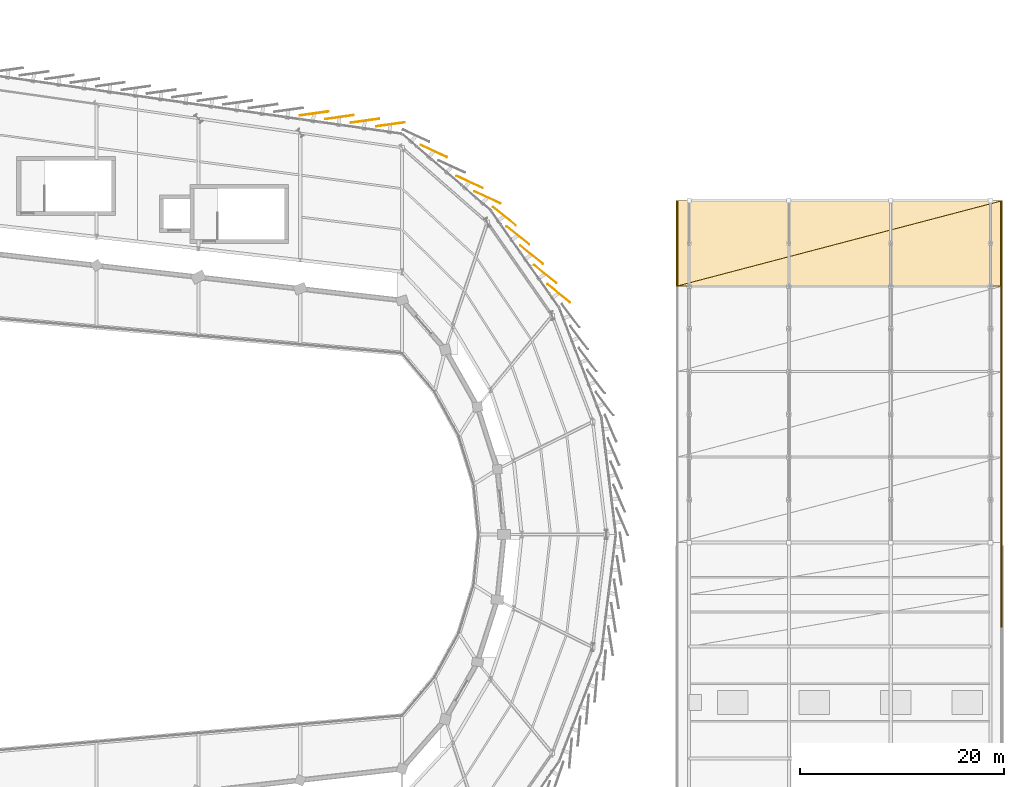
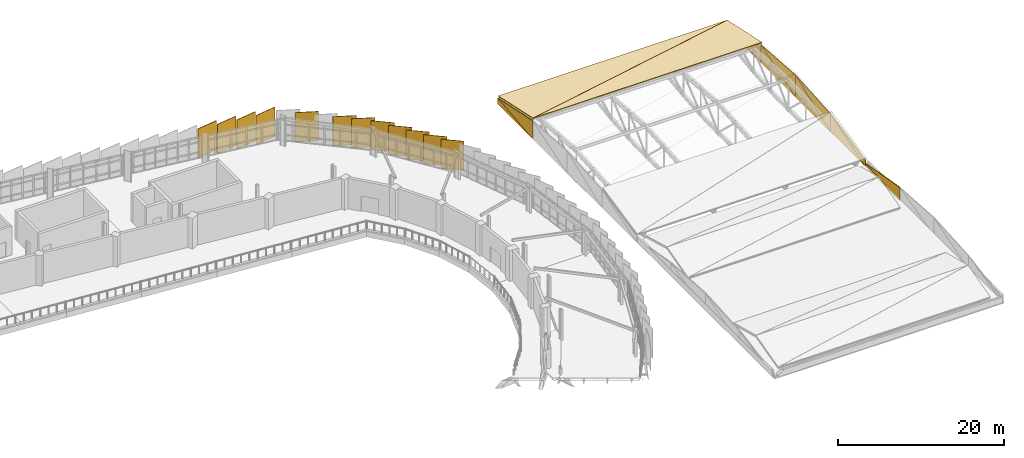
# One storey, part 87 of 87: 26 coverings.
"""IFC4 building model written with IfcOpenShell, lengths in metres."""

import ifcopenshell
import ifcopenshell.guid

model = None  # the IFC model being written
_history = None  # IfcOwnerHistory: only IFC2X3 demands one
_inside = {}  # id of a spatial element -> (the spatial element, [elements in it])
_under = {}  # id of a project, library or spatial element -> (it, [spatial elements below it])
_declared = {}  # id of a project -> (the project, [libraries it declares])
_typed = {}  # id of a type object -> (the type object, [elements of that type])
_made_of = {}  # id of a material, layer set ... -> (it, [elements and type objects made of it])


def new_model(schema):
    """Start an empty IFC model of exactly this schema.

    Asked for "IFC4X3", IfcOpenShell would pick the latest addendum, in which some entities
    have other attributes; the version numbers below select the first issue.
    IFC2X3 requires an IfcOwnerHistory on every rooted entity: one is made here for all.
    """
    global model, _history
    if schema == "IFC4X3":
        model = ifcopenshell.file(schema_version=(4, 3, 0, 0))
    else:
        model = ifcopenshell.file(schema=schema)
    _inside.clear()
    _under.clear()
    _declared.clear()
    _typed.clear()
    _made_of.clear()
    _history = None
    if model.schema == "IFC2X3":
        org = make("IfcOrganization", Name="unknown")
        user = make(
            "IfcPersonAndOrganization",
            ThePerson=make("IfcPerson", FamilyName="unknown"),
            TheOrganization=org,
        )
        app = make(
            "IfcApplication",
            ApplicationDeveloper=org,
            Version="unknown",
            ApplicationFullName="unknown",
            ApplicationIdentifier="unknown",
        )
        _history = make(
            "IfcOwnerHistory",
            OwningUser=user,
            OwningApplication=app,
            ChangeAction="ADDED",
            CreationDate=0,
        )
    return model


def make(cls, **values):
    """One entity of the class cls with the attributes given. An attribute that is None is left unset."""
    return model.create_entity(
        cls, **{name: value for name, value in values.items() if value is not None}
    )


def rooted(cls, **values):
    """An entity with a GlobalId (a new one), such as an element, a storey or a relation."""
    return make(cls, GlobalId=ifcopenshell.guid.new(), OwnerHistory=_history, **values)


def si_unit(unit_type, name, prefix=None):
    """IfcSIUnit, for example si_unit("LENGTHUNIT", "METRE", prefix="MILLI")."""
    return make("IfcSIUnit", UnitType=unit_type, Prefix=prefix, Name=name)


def assignment(units):
    """IfcUnitAssignment: the units of a project."""
    return None if units is None else make("IfcUnitAssignment", Units=units)


def point(xyz):
    """IfcCartesianPoint."""
    return None if xyz is None else make("IfcCartesianPoint", Coordinates=xyz)


def direction(xyz):
    """IfcDirection."""
    return None if xyz is None else make("IfcDirection", DirectionRatios=xyz)


def frame(location, z_axis=None, x_axis=None):
    """IfcAxis2Placement3D, a coordinate frame: its origin and axes. An axis left out is left unset."""
    return make(
        "IfcAxis2Placement3D",
        Location=point(location),
        Axis=direction(z_axis),
        RefDirection=direction(x_axis),
    )


def frame_2d(location, x_axis=None):
    """IfcAxis2Placement2D, a coordinate frame in the plane: its origin and x axis."""
    return make(
        "IfcAxis2Placement2D", Location=point(location), RefDirection=direction(x_axis)
    )


def origin():
    """The frame at (0, 0, 0) with its axes left unset."""
    return frame((0.0, 0.0, 0.0))


def origin_2d():
    """The frame at (0, 0) in the plane with its x axis left unset."""
    return frame_2d((0.0, 0.0))


def place(relative_to, where):
    """IfcLocalPlacement: puts the frame where relative to a parent placement (None: the world)."""
    return make(
        "IfcLocalPlacement", PlacementRelTo=relative_to, RelativePlacement=where
    )


def context(
    kind, dimensions, precision=None, world=None, true_north=None, identifier=None
):
    """IfcGeometricRepresentationContext, for example the 3D "Model" context."""
    return make(
        "IfcGeometricRepresentationContext",
        ContextIdentifier=identifier,
        ContextType=kind,
        CoordinateSpaceDimension=dimensions,
        Precision=precision,
        WorldCoordinateSystem=world,
        TrueNorth=true_north,
    )


def subcontext(parent, identifier, kind, view, scale=None):
    """IfcGeometricRepresentationSubContext, for example "Body" below "Model"."""
    return make(
        "IfcGeometricRepresentationSubContext",
        ContextIdentifier=identifier,
        ContextType=kind,
        ParentContext=parent,
        TargetScale=scale,
        TargetView=view,
    )


def project(units=None, contexts=None):
    """IfcProject with its units and contexts."""
    return rooted(
        "IfcProject",
        Name="project",
        RepresentationContexts=contexts,
        UnitsInContext=assignment(units),
    )


def spatial(cls, under=None, at=None, **own):
    """A site, building, storey or space (cls), placed at a placement, below another one or the project."""
    s = rooted(cls, ObjectPlacement=at, **own)
    if under is not None:
        _under.setdefault(under.id(), (under, []))[1].append(s)
    return s


def polyline(points):
    """IfcPolyline through the points."""
    return make("IfcPolyline", Points=[point(p) for p in points])


def profile(cls, at=None, kind="AREA", **sizes):
    """A parametric profile (cls). Its sizes go by their IFC names, for example OverallWidth=200.0."""
    return make(cls, ProfileType=kind, Position=at, **sizes)


def rectangle(**sizes):
    """IfcRectangleProfileDef."""
    return profile("IfcRectangleProfileDef", **sizes)


def outline(outer, holes=None, kind="AREA"):
    """IfcArbitraryClosedProfileDef: a profile drawn as a closed curve; with holes, ...WithVoids."""
    if holes is None:
        return make("IfcArbitraryClosedProfileDef", ProfileType=kind, OuterCurve=outer)
    return make(
        "IfcArbitraryProfileDefWithVoids",
        ProfileType=kind,
        OuterCurve=outer,
        InnerCurves=holes,
    )


def extrude(swept, where, along, depth):
    """IfcExtrudedAreaSolid: the profile swept, set in the frame where, extruded along a direction by depth."""
    return make(
        "IfcExtrudedAreaSolid",
        SweptArea=swept,
        Position=where,
        ExtrudedDirection=direction(along),
        Depth=depth,
    )


def shape(context_of_items, identifier, shape_type, items):
    """IfcShapeRepresentation: the items that make up one representation, for example the "Body"."""
    return make(
        "IfcShapeRepresentation",
        ContextOfItems=context_of_items,
        RepresentationIdentifier=identifier,
        RepresentationType=shape_type,
        Items=items,
    )


def material(Name=None, Category=None):
    """IfcMaterial."""
    return make("IfcMaterial", Name=Name, Category=Category)


def layer(
    of_material, thickness, ventilated=None, Name=None, Category=None, Priority=None
):
    """IfcMaterialLayer: one layer of a wall or slab, of a material (None: an air gap)."""
    return make(
        "IfcMaterialLayer",
        Material=of_material,
        LayerThickness=thickness,
        IsVentilated=ventilated,
        Name=Name,
        Category=Category,
        Priority=Priority,
    )


def layer_set(layers, Name=None):
    """IfcMaterialLayerSet."""
    return make("IfcMaterialLayerSet", MaterialLayers=layers, LayerSetName=Name)


def made_of(thing, what):
    """Note that an element or type object is made of a material, layer set ...; save() writes the relation."""
    if what is not None:
        _made_of.setdefault(what.id(), (what, []))[1].append(thing)
    return thing


def type_object(cls, material=None, **own):
    """A type object (cls), such as IfcWallType, which elements share."""
    return made_of(rooted(cls, **own), material)


def element(
    cls,
    number,
    at=None,
    inside=None,
    cuts=None,
    type_object=None,
    material=None,
    context=None,
    identifier="Body",
    shape_type=None,
    held_by="IfcProductDefinitionShape",
    body=None,
    shapes=None,
    **own,
):
    """One element of the class cls, such as IfcWall. Its Tag is "e" and its number.

    at: its placement. inside: the storey or other place that contains it. cuts: it is an
    opening in that element (IfcRelVoidsElement). A single representation is given by context,
    identifier, shape_type and body (its items); several are given by shapes. held_by: the class
    of the entity that holds the representations. save() writes the other relations.
    """
    e = rooted(cls, Tag="e%d" % number, ObjectPlacement=at, **own)
    if body is not None:
        shapes = [shape(context, identifier, shape_type, body)]
    if shapes is not None:
        e.Representation = make(held_by, Representations=shapes)
    if inside is not None:
        _inside.setdefault(inside.id(), (inside, []))[1].append(e)
    if cuts is not None:
        rooted(
            "IfcRelVoidsElement", RelatingBuildingElement=cuts, RelatedOpeningElement=e
        )
    if type_object is not None:
        _typed.setdefault(type_object.id(), (type_object, []))[1].append(e)
    return made_of(e, material)


def aggregate(whole, parts):
    """IfcRelAggregates: a whole, such as a stair, and the parts it consists of."""
    return rooted("IfcRelAggregates", RelatingObject=whole, RelatedObjects=parts)


def save(model, path):
    """Write the relations noted so far, then the file.

    IfcRelAggregates (storeys below a building ...), IfcRelContainedInSpatialStructure (elements
    in a storey), IfcRelDefinesByType, IfcRelAssociatesMaterial and IfcRelDeclares: one each for
    every whole, place, type object, material and project.
    """
    for whole, parts in _under.values():
        aggregate(whole, parts)
    for where, things in _inside.values():
        rooted(
            "IfcRelContainedInSpatialStructure",
            RelatedElements=things,
            RelatingStructure=where,
        )
    for kind, things in _typed.values():
        rooted("IfcRelDefinesByType", RelatedObjects=things, RelatingType=kind)
    for what, things in _made_of.values():
        rooted("IfcRelAssociatesMaterial", RelatedObjects=things, RelatingMaterial=what)
    for by, libraries in _declared.values():
        rooted("IfcRelDeclares", RelatingContext=by, RelatedDefinitions=libraries)
    model.write(path)


model = new_model("IFC4")

# Units and contexts
model_context = context("Model", 3, precision=1e-05, world=origin(), true_north=direction((0.0, 1.0)))
body_context = subcontext(model_context, "Body", "Model", "MODEL_VIEW")
ifc_project = project(units=[si_unit("LENGTHUNIT", "METRE"), si_unit("AREAUNIT", "SQUARE_METRE"), si_unit("VOLUMEUNIT", "CUBIC_METRE"), si_unit("PLANEANGLEUNIT", "RADIAN"), si_unit("MASSUNIT", "GRAM", prefix="KILO")], contexts=[model_context])

# Site, building, storey
site_placement = place(None, origin())
site = spatial("IfcSite", under=ifc_project, at=site_placement, CompositionType="ELEMENT")
building_placement = place(site_placement, origin())
building = spatial("IfcBuilding", under=site, at=building_placement, Name="Sohan Crest Arena", CompositionType="ELEMENT")
storey_placement = place(building_placement, frame((0.0, 0.0, 18.0)))
storey = spatial("IfcBuildingStorey", under=building, at=storey_placement, Name="L04", CompositionType="ELEMENT", Elevation=18.0)

# Coverings
ifc_material_1 = material(Name="Standing-seam insulated acoustic roof liner", Category="aluminium")
ifc_layer_1 = layer(ifc_material_1, 0.114990234375, Name="Standing-seam insulated acoustic roof liner")
ifc_layer_set_1 = layer_set([ifc_layer_1], Name="Standing-seam insulated acoustic roof liner")
covering_type_1 = type_object("IfcCoveringType", Name="COV-RF2", PredefinedType="ROOFING", material=ifc_layer_set_1)
covering_1_placement = place(storey_placement, frame((195.04296875, 102.406005859375, 2.841064453125), z_axis=(0.0, 0.209939374799, 0.977714405596), x_axis=(1.0, 0.0, 0.0)))
element("IfcCovering", 1, at=covering_1_placement, inside=storey, type_object=covering_type_1, Name="Standing-seam acoustic roof covering RF-CV-123", PredefinedType="ROOFING", context=body_context, shape_type="SweptSolid", body=[
    extrude(outline(polyline([(0.0, 0.0), (31.93603515625, 0.0), (31.93603515625, 8.5741363660465), (0.0, 0.0)])), origin(), (0.0, 0.0, -1.0), 0.114990234375),
])
covering_2_placement = place(storey_placement, frame((195.02099609375, 102.410888671875, 2.841064453125), z_axis=(0.0, 0.209939374799, 0.977714405596), x_axis=(0.96579792604, 0.253517341078, -0.054436420065)))
element("IfcCovering", 2, at=covering_2_placement, inside=storey, type_object=covering_type_1, Name="Standing-seam acoustic roof covering RF-CV-124", PredefinedType="ROOFING", context=body_context, shape_type="SweptSolid", body=[
    extrude(outline(polyline([(0.0, 0.0), (33.06699496363099, 1.3322676295501878e-15), (2.223238443784145, 8.280883119911872), (0.0, 0.0)])), origin(), (0.0, 0.0, -1.0), 0.114990234375),
])
ifc_material_2 = material(Name="Glazed ivory trencadis ceramic cladding", Category="masonry")
ifc_layer_2 = layer(ifc_material_2, 0.06494140625, Name="Glazed ivory trencadis ceramic cladding")
ifc_layer_set_2 = layer_set([ifc_layer_2], Name="Glazed ivory trencadis ceramic cladding")
covering_type_2 = type_object("IfcCoveringType", Name="COV-SC-IV", PredefinedType="CLADDING", material=ifc_layer_set_2)
for number, where, z_axis, x_axis, name in (
    (3, (182.052978515625, 103.583984375, -0.2001953125), (0.0, 0.0, 1.0), (-0.778243148526, 0.627963057649, 0.0), "Rotated trencadis ceramic scale panel SC-0518"),
    (4, (180.719970703125, 105.47900390625, -0.2001953125), (0.0, 0.0, 1.0), (-0.778243148526, 0.627963057649, 0.0), "Rotated trencadis ceramic scale panel SC-0519"),
    (5, (179.386962890625, 107.373046875, -0.2001953125), (0.0, 0.0, 1.0), (-0.778243148526, 0.627963057649, 0.0), "Rotated trencadis ceramic scale panel SC-0520"),
    (6, (178.053955078125, 109.26806640625, -0.2001953125), (0.0, 0.0, 1.0), (-0.778243148526, 0.627963057649, 0.0), "Rotated trencadis ceramic scale panel SC-0521"),
    (7, (176.385986328125, 111.110107421875, -0.2001953125), (0.0, 0.0, 1.0), (-0.907777478533, 0.419452082446, 0.0), "Rotated trencadis ceramic scale panel SC-0522"),
    (8, (174.633056640625, 112.625, -0.2001953125), (0.0, 0.0, 1.0), (-0.907777478533, 0.419452082446, 0.0), "Rotated trencadis ceramic scale panel SC-0523"),
    (9, (171.126953125, 115.654052734375, -0.2001953125), (0.0, 0.0, 1.0), (-0.907777478533, 0.419452082446, 0.0), "Rotated trencadis ceramic scale panel SC-0525"),
    (10, (166.85791015625, 118.281005859375, -0.2001953125), (0.0, 0.0, 1.0), (-0.990509463238, -0.137444546037, 0.0), "Rotated trencadis ceramic scale panel SC-0527"),
    (11, (164.35791015625, 118.637939453125, -0.2001953125), (0.0, 0.0, 1.0), (-0.990509463238, -0.137444546037, 0.0), "Rotated trencadis ceramic scale panel SC-0528"),
    (12, (161.85791015625, 118.9951171875, -0.2001953125), (0.0, 0.0, 1.0), (-0.990509463238, -0.137444546037, 0.0), "Rotated trencadis ceramic scale panel SC-0529"),
):
    element("IfcCovering", number, at=place(storey_placement, frame(where, z_axis=z_axis, x_axis=x_axis)), inside=storey, type_object=covering_type_2, Name=name, PredefinedType="CLADDING", context=body_context, shape_type="SweptSolid", body=[
        extrude(rectangle(XDim=2.85009765625, YDim=0.06494140625, at=origin_2d()), origin(), (0.0, 0.0, 1.0), 4.300048828125),
    ])
ifc_material_3 = material(Name="Glazed terracotta trencadis ceramic cladding", Category="masonry")
ifc_layer_3 = layer(ifc_material_3, 0.074951171875, Name="Glazed terracotta trencadis ceramic cladding")
ifc_layer_set_3 = layer_set([ifc_layer_3], Name="Glazed terracotta trencadis ceramic cladding")
covering_type_3 = type_object("IfcCoveringType", Name="COV-SC-TC", PredefinedType="CLADDING", material=ifc_layer_set_3)
for number, where, z_axis, x_axis, name in (
    (13, (183.385986328125, 101.68994140625, -0.2001953125), (0.0, 0.0, 1.0), (-0.778243148526, 0.627963057649, 0.0), "Rotated trencadis ceramic scale panel SC-0517"),
    (14, (159.35791015625, 119.35302734375, -0.2001953125), (0.0, 0.0, 1.0), (-0.990509463238, -0.137444546037, 0.0), "Rotated trencadis ceramic scale panel SC-0530"),
):
    element("IfcCovering", number, at=place(storey_placement, frame(where, z_axis=z_axis, x_axis=x_axis)), inside=storey, type_object=covering_type_3, Name=name, PredefinedType="CLADDING", context=body_context, shape_type="SweptSolid", body=[
        extrude(rectangle(XDim=2.85009765625, YDim=0.074951171875, at=origin_2d()), origin(), (0.0, 0.0, 1.0), 4.300048828125),
    ])
covering_3_placement = place(storey_placement, frame((195.06005859375, 102.39990234375, -0.14990234375), z_axis=(1.0, 0.0, 0.0), x_axis=(0.0, 1.0, 0.0)))
element("IfcCovering", 15, at=covering_3_placement, inside=storey, type_object=covering_type_3, Name="Practice court barrel-vault gable tympanum TYM-07", PredefinedType="CLADDING", context=body_context, shape_type="SweptSolid", body=[
    extrude(outline(polyline([(0.0, 0.0), (8.400146484375, 0.0), (8.400146484375, 0.89990234375), (0.0, 0.0)])), origin(), (0.0, 0.0, -1.0), 0.1201171875),
])
covering_4_placement = place(storey_placement, frame((195.06005859375, 102.39990234375, -0.14990234375), z_axis=(1.0, 0.0, 0.0), x_axis=(0.0, 0.994310575069, 0.106519858741)))
element("IfcCovering", 16, at=covering_4_placement, inside=storey, type_object=covering_type_3, Name="Practice court barrel-vault gable tympanum TYM-08", PredefinedType="CLADDING", context=body_context, shape_type="SweptSolid", body=[
    extrude(outline(polyline([(0.0, 0.0), (8.448211952078642, -1.1102230246251565e-16), (0.282267223333869, 2.6348259232904043), (0.0, 0.0)])), origin(), (0.0, 0.0, -1.0), 0.1201171875),
])
covering_5_placement = place(storey_placement, frame((226.93994140625, 77.199951171875, -0.14990234375), z_axis=(1.0, 0.0, 0.0), x_axis=(0.0, 1.0, 0.0)))
element("IfcCovering", 17, at=covering_5_placement, inside=storey, type_object=covering_type_3, Name="Practice court barrel-vault gable tympanum TYM-09", PredefinedType="CLADDING", context=body_context, shape_type="SweptSolid", body=[
    extrude(outline(polyline([(0.0, 0.0), (8.400146484375, 0.0), (8.400146484375, 2.64990234375), (0.0, 0.0)])), origin(), (0.0, 0.0, -1.0), 0.1201171875),
])
covering_6_placement = place(storey_placement, frame((226.93994140625, 77.199951171875, -0.14990234375), z_axis=(1.0, 0.0, 0.0), x_axis=(0.0, 0.953673105134, 0.300844824691)))
element("IfcCovering", 18, at=covering_6_placement, inside=storey, type_object=covering_type_3, Name="Practice court barrel-vault gable tympanum TYM-10", PredefinedType="CLADDING", context=body_context, shape_type="SweptSolid", body=[
    extrude(outline(polyline([(0.0, 0.0), (8.808203187391252, 4.440892098500626e-16), (0.2707309628441385, 0.8582126624818752), (0.0, 0.0)])), origin(), (0.0, 0.0, -1.0), 0.1201171875),
])
covering_7_placement = place(storey_placement, frame((226.93994140625, 85.60009765625, -0.14990234375), z_axis=(1.0, 0.0, 0.0), x_axis=(0.0, 1.0, 0.0)))
element("IfcCovering", 19, at=covering_7_placement, inside=storey, type_object=covering_type_3, Name="Practice court barrel-vault gable tympanum TYM-11", PredefinedType="CLADDING", context=body_context, shape_type="SweptSolid", body=[
    extrude(outline(polyline([(0.0, 0.0), (8.39990234375, 0.0), (8.39990234375, 3.25), (0.0, 0.0)])), origin(), (0.0, 0.0, -1.0), 0.1201171875),
])
covering_8_placement = place(storey_placement, frame((226.93994140625, 85.60009765625, -0.14990234375), z_axis=(1.0, 0.0, 0.0), x_axis=(0.0, 0.932626959764, 0.36084200687)))
element("IfcCovering", 20, at=covering_8_placement, inside=storey, type_object=covering_type_3, Name="Practice court barrel-vault gable tympanum TYM-12", PredefinedType="CLADDING", context=body_context, shape_type="SweptSolid", body=[
    extrude(outline(polyline([(0.0, 0.0), (9.00671190749081, 0.0), (0.9561960797285874, 2.471370366522069), (0.0, 0.0)])), origin(), (0.0, 0.0, -1.0), 0.1201171875),
])
covering_9_placement = place(storey_placement, frame((226.93994140625, 94.0, -0.14990234375), z_axis=(1.0, 0.0, 0.0), x_axis=(0.0, 1.0, 0.0)))
element("IfcCovering", 21, at=covering_9_placement, inside=storey, type_object=covering_type_3, Name="Practice court barrel-vault gable tympanum TYM-13", PredefinedType="CLADDING", context=body_context, shape_type="SweptSolid", body=[
    extrude(outline(polyline([(0.0, 0.0), (8.39990234375, 0.0), (8.39990234375, 2.64990234375), (0.0, 0.0)])), origin(), (0.0, 0.0, -1.0), 0.1201171875),
])
covering_10_placement = place(storey_placement, frame((226.93994140625, 94.0, -0.14990234375), z_axis=(1.0, 0.0, 0.0), x_axis=(0.0, 0.953670596398, 0.300852777228)))
element("IfcCovering", 22, at=covering_10_placement, inside=storey, type_object=covering_type_3, Name="Practice court barrel-vault gable tympanum TYM-14", PredefinedType="CLADDING", context=body_context, shape_type="SweptSolid", body=[
    extrude(outline(polyline([(0.0, 0.0), (8.807970357349557, 0.0), (0.9777715259908104, 3.0994294382937), (0.0, 0.0)])), origin(), (0.0, 0.0, -1.0), 0.1201171875),
])
covering_11_placement = place(storey_placement, frame((226.93994140625, 102.39990234375, -0.14990234375), z_axis=(1.0, 0.0, 0.0), x_axis=(0.0, 1.0, 0.0)))
element("IfcCovering", 23, at=covering_11_placement, inside=storey, type_object=covering_type_3, Name="Practice court barrel-vault gable tympanum TYM-15", PredefinedType="CLADDING", context=body_context, shape_type="SweptSolid", body=[
    extrude(outline(polyline([(0.0, 0.0), (8.400146484375, 0.0), (8.400146484375, 0.89990234375), (0.0, 0.0)])), origin(), (0.0, 0.0, -1.0), 0.1201171875),
])
covering_12_placement = place(storey_placement, frame((226.93994140625, 102.39990234375, -0.14990234375), z_axis=(1.0, 0.0, 0.0), x_axis=(0.0, 0.994310575069, 0.106519858741)))
element("IfcCovering", 24, at=covering_12_placement, inside=storey, type_object=covering_type_3, Name="Practice court barrel-vault gable tympanum TYM-16", PredefinedType="CLADDING", context=body_context, shape_type="SweptSolid", body=[
    extrude(outline(polyline([(0.0, 0.0), (8.448211952078642, -1.1102230246251565e-16), (0.282267223333869, 2.6348259232904043), (0.0, 0.0)])), origin(), (0.0, 0.0, -1.0), 0.1201171875),
])
covering_13_placement = place(storey_placement, frame((226.93994140625, 68.89990234375, -0.14990234375), z_axis=(1.0, 0.0, 0.0), x_axis=(0.0, 1.0, 0.0)))
element("IfcCovering", 25, at=covering_13_placement, inside=storey, type_object=covering_type_3, Name="Community wing barrel-vault gable tympanum TYM-31", PredefinedType="CLADDING", context=body_context, shape_type="SweptSolid", body=[
    extrude(outline(polyline([(0.0, 0.0), (8.300048828125, 0.0), (8.300048828125, 0.5), (0.0, 0.0)])), origin(), (0.0, 0.0, -1.0), 0.1201171875),
])
covering_14_placement = place(storey_placement, frame((226.93994140625, 68.89990234375, -0.14990234375), z_axis=(1.0, 0.0, 0.0), x_axis=(0.0, 0.998190458026, 0.060131601554)))
element("IfcCovering", 26, at=covering_14_placement, inside=storey, type_object=covering_type_3, Name="Community wing barrel-vault gable tympanum TYM-32", PredefinedType="CLADDING", context=body_context, shape_type="SweptSolid", body=[
    extrude(outline(polyline([(0.0, 0.0), (8.315095342162902, 5.551115123125783e-17), (0.1172536869173038, 1.9464226533826061), (0.0, 0.0)])), origin(), (0.0, 0.0, -1.0), 0.1201171875),
])

save(model, "model.ifc")
